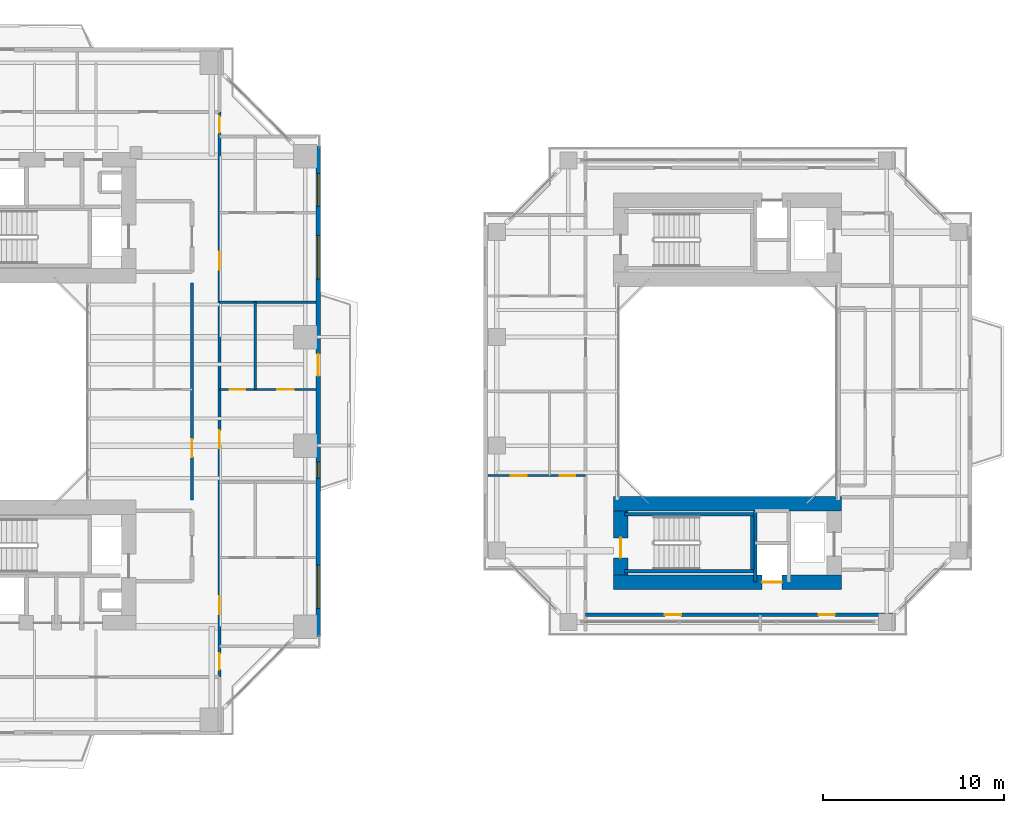
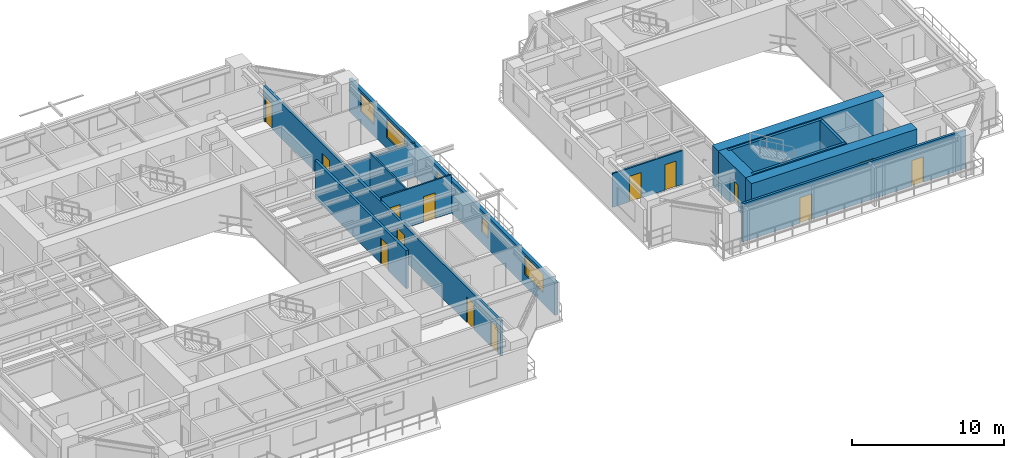
# One storey, part 15 of 24: 15 doors, 15 walls, 4 windows, 19 openings.
"""IFC4 building model written with IfcOpenShell, lengths in metres."""

from ifc_helpers import new_model, si_unit, direction, frame, frame_2d, origin, place, context, subcontext, project, spatial, rectangle, extrude, source, transform, mapped, material, layer, layer_set, type_object, element, fill, save


model = new_model("IFC4")

# Units and contexts
model_context = context("Model", 3, precision=1e-05, world=origin(), true_north=direction((0.0, 1.0)))
body_context = subcontext(model_context, "Body", "Model", "MODEL_VIEW")
ifc_project = project(units=[si_unit("LENGTHUNIT", "METRE"), si_unit("AREAUNIT", "SQUARE_METRE"), si_unit("VOLUMEUNIT", "CUBIC_METRE"), si_unit("PLANEANGLEUNIT", "RADIAN"), si_unit("MASSUNIT", "GRAM", prefix="KILO"), si_unit("THERMODYNAMICTEMPERATUREUNIT", "KELVIN"), si_unit("POWERUNIT", "WATT")], contexts=[model_context])

# Site, building, storey
site_placement = place(None, origin())
site = spatial("IfcSite", under=ifc_project, at=site_placement, CompositionType="ELEMENT")
building_placement = place(site_placement, origin())
building = spatial("IfcBuilding", under=site, at=building_placement, Name="Qiaomeng Ring Towers", CompositionType="ELEMENT")
storey_placement = place(building_placement, frame((0.0, 0.0, 36.0)))
storey = spatial("IfcBuildingStorey", under=building, at=storey_placement, Name="L09", CompositionType="ELEMENT", Elevation=36.0)

# Wall, openings, door, windows
ifc_material_1 = material(Name="Precast concrete C40", Category="concrete")
ifc_layer_1 = layer(ifc_material_1, 0.25, Name="Precast concrete C40")
ifc_layer_set_1 = layer_set([ifc_layer_1], Name="Precast concrete C40")
wall_type_1 = type_object("IfcWallType", Name="ARC-WL-EW1", PredefinedType="STANDARD", material=ifc_layer_set_1)
wall_1_placement = place(storey_placement, frame((37.875, 9.449951171875, 0.0), z_axis=(0.0, 0.0, 1.0), x_axis=(0.0, 1.0, 0.0)))
wall_1 = element("IfcWall", 1, at=wall_1_placement, inside=storey, type_object=wall_type_1, Name="L09 Tower 1 E Exterior Wall", PredefinedType="STANDARD", context=body_context, shape_type="SweptSolid", body=[
    extrude(rectangle(XDim=27.10009765625, YDim=0.25, at=frame_2d((13.550048828125, 0.0))), origin(), (0.0, 0.0, 1.0), 2.610107421875),
])
opening_1_placement = place(wall_1_placement, frame((14.39990234375, 0.0, 0.0)))
opening_1 = element("IfcOpeningElement", 2, at=opening_1_placement, cuts=wall_1, Name="Opening BD1", PredefinedType="OPENING", context=body_context, shape_type="SweptSolid", body=[
    extrude(rectangle(XDim=1.199951171875, YDim=2.10009765625, at=frame_2d((0.60009765625, 1.050048828125))), frame((0.0, 0.135009765625, 0.0), z_axis=(0.0, -1.0, 0.0), x_axis=(1.0, 0.0, 0.0)), (0.0, 0.0, 1.0), 0.27001953125),
])
opening_2_placement = place(wall_1_placement, frame((1.552490234375, 0.0, 0.89990234375)))
opening_2 = element("IfcOpeningElement", 3, at=opening_2_placement, cuts=wall_1, Name="Opening WN6", PredefinedType="OPENING", context=body_context, shape_type="SweptSolid", body=[
    extrude(rectangle(XDim=2.39990234375, YDim=1.5, at=frame_2d((1.199951171875, 0.75))), frame((0.0, 0.135009765625, 0.0), z_axis=(0.0, -1.0, 0.0), x_axis=(1.0, 0.0, 0.0)), (0.0, 0.0, 1.0), 0.27001953125),
])
opening_3_placement = place(wall_1_placement, frame((23.78759765625, 0.0, 0.89990234375)))
opening_3 = element("IfcOpeningElement", 4, at=opening_3_placement, cuts=wall_1, Name="Opening WN1", PredefinedType="OPENING", context=body_context, shape_type="SweptSolid", body=[
    extrude(rectangle(XDim=1.800048828125, YDim=1.5, at=frame_2d((0.89990234375, 0.75))), frame((0.0, 0.135009765625, 0.0), z_axis=(0.0, -1.0, 0.0), x_axis=(1.0, 0.0, 0.0)), (0.0, 0.0, 1.0), 0.27001953125),
])
opening_4_placement = place(wall_1_placement, frame((19.757568359375, 0.0, 0.89990234375)))
opening_4 = element("IfcOpeningElement", 5, at=opening_4_placement, cuts=wall_1, Name="Opening WN6", PredefinedType="OPENING", context=body_context, shape_type="SweptSolid", body=[
    extrude(rectangle(XDim=2.39990234375, YDim=1.5, at=frame_2d((1.199951171875, 0.75))), frame((0.0, 0.135009765625, 0.0), z_axis=(0.0, -1.0, 0.0), x_axis=(1.0, 0.0, 0.0)), (0.0, 0.0, 1.0), 0.27001953125),
])
opening_5_placement = place(wall_1_placement, frame((8.7548828125, 0.0, 0.89990234375)))
opening_5 = element("IfcOpeningElement", 6, at=opening_5_placement, cuts=wall_1, Name="Opening WN5", PredefinedType="OPENING", context=body_context, shape_type="SweptSolid", body=[
    extrude(rectangle(XDim=0.89990234375, YDim=1.199951171875, at=frame_2d((0.449951171875, 0.60009765625))), frame((0.0, 0.135009765625, 0.0), z_axis=(0.0, -1.0, 0.0), x_axis=(1.0, 0.0, 0.0)), (0.0, 0.0, 1.0), 0.27001953125),
])
ifc_material_2 = material(Name="Low-E dark-grey laminated double glazing", Category="glass")
door_type_1 = type_object("IfcDoorType", Name="ARC-DR-BD1", OperationType="NOTDEFINED", PredefinedType="DOOR", material=ifc_material_2)
shared_shape_1 = source(origin(), body_context, "Body", "SweptSolid", [
    extrude(rectangle(XDim=1.199951171875, YDim=2.10009765625, at=frame_2d((0.60009765625, 1.050048828125))), frame((0.0, 0.02490234375, 0.0), z_axis=(0.0, -1.0, 0.0), x_axis=(1.0, 0.0, 0.0)), (0.0, 0.0, 1.0), 0.050048828125),
])
door_1_placement = place(opening_1_placement, origin())
door_1 = element("IfcDoor", 7, at=door_1_placement, inside=storey, type_object=door_type_1, Name="L09 E Balcony Glazed Door", OperationType="SINGLE_SWING_LEFT", OverallHeight=2.10009765625, OverallWidth=1.199951171875, PredefinedType="DOOR", context=body_context, shape_type="MappedRepresentation", body=[
    mapped(shared_shape_1, transform((0.0, 0.0, 0.0), x_axis=(1.0, 0.0, 0.0), y_axis=(0.0, 1.0, 0.0), z_axis=(0.0, 0.0, 1.0), scale=1.0)),
])
fill(opening_1, door_1)
window_type_1 = type_object("IfcWindowType", Name="ARC-WN-6", PartitioningType="TRIPLE_PANEL_VERTICAL", PredefinedType="WINDOW", material=ifc_material_2)
shared_shape_2 = source(origin(), body_context, "Body", "SweptSolid", [
    extrude(rectangle(XDim=2.39990234375, YDim=1.5, at=frame_2d((1.199951171875, 0.75))), frame((0.0, 0.030029296875, 0.0), z_axis=(0.0, -1.0, 0.0), x_axis=(1.0, 0.0, 0.0)), (0.0, 0.0, 1.0), 0.06005859375),
])
window_1_placement = place(opening_2_placement, origin())
window_1 = element("IfcWindow", 8, at=window_1_placement, inside=storey, type_object=window_type_1, Name="L09 Exterior Window WN6", OverallHeight=1.5, OverallWidth=2.39990234375, PartitioningType="TRIPLE_PANEL_VERTICAL", PredefinedType="WINDOW", context=body_context, shape_type="MappedRepresentation", body=[
    mapped(shared_shape_2, transform((0.0, 0.0, 0.0), x_axis=(1.0, 0.0, 0.0), y_axis=(0.0, 1.0, 0.0), z_axis=(0.0, 0.0, 1.0), scale=1.0)),
])
fill(opening_2, window_1)
window_2_placement = place(opening_4_placement, origin())
window_2 = element("IfcWindow", 9, at=window_2_placement, inside=storey, type_object=window_type_1, Name="L09 Exterior Window WN6", OverallHeight=1.5, OverallWidth=2.39990234375, PartitioningType="TRIPLE_PANEL_VERTICAL", PredefinedType="WINDOW", context=body_context, shape_type="MappedRepresentation", body=[
    mapped(shared_shape_2, transform((0.0, 0.0, 0.0), x_axis=(1.0, 0.0, 0.0), y_axis=(0.0, 1.0, 0.0), z_axis=(0.0, 0.0, 1.0), scale=1.0)),
])
fill(opening_4, window_2)
window_type_2 = type_object("IfcWindowType", Name="ARC-WN-1", PartitioningType="DOUBLE_PANEL_VERTICAL", PredefinedType="WINDOW", material=ifc_material_2)
shared_shape_3 = source(origin(), body_context, "Body", "SweptSolid", [
    extrude(rectangle(XDim=1.800048828125, YDim=1.5, at=frame_2d((0.89990234375, 0.75))), frame((0.0, 0.030029296875, 0.0), z_axis=(0.0, -1.0, 0.0), x_axis=(1.0, 0.0, 0.0)), (0.0, 0.0, 1.0), 0.06005859375),
])
window_3_placement = place(opening_3_placement, origin())
window_3 = element("IfcWindow", 10, at=window_3_placement, inside=storey, type_object=window_type_2, Name="L09 Exterior Window WN4", OverallHeight=1.5, OverallWidth=1.800048828125, PartitioningType="TRIPLE_PANEL_VERTICAL", PredefinedType="WINDOW", context=body_context, shape_type="MappedRepresentation", body=[
    mapped(shared_shape_3, transform((0.0, 0.0, 0.0), x_axis=(1.0, 0.0, 0.0), y_axis=(0.0, 1.0, 0.0), z_axis=(0.0, 0.0, 1.0), scale=1.0)),
])
fill(opening_3, window_3)
window_type_3 = type_object("IfcWindowType", Name="ARC-WN-5", PartitioningType="SINGLE_PANEL", PredefinedType="WINDOW", material=ifc_material_2)
shared_shape_4 = source(origin(), body_context, "Body", "SweptSolid", [
    extrude(rectangle(XDim=0.89990234375, YDim=1.199951171875, at=frame_2d((0.449951171875, 0.60009765625))), frame((0.0, 0.030029296875, 0.0), z_axis=(0.0, -1.0, 0.0), x_axis=(1.0, 0.0, 0.0)), (0.0, 0.0, 1.0), 0.06005859375),
])
window_4_placement = place(opening_5_placement, origin())
window_4 = element("IfcWindow", 11, at=window_4_placement, inside=storey, type_object=window_type_3, Name="L09 Exterior Window WN5", OverallHeight=1.199951171875, OverallWidth=0.89990234375, PartitioningType="SINGLE_PANEL", PredefinedType="WINDOW", context=body_context, shape_type="MappedRepresentation", body=[
    mapped(shared_shape_4, transform((0.0, 0.0, 0.0), x_axis=(1.0, 0.0, 0.0), y_axis=(0.0, 1.0, 0.0), z_axis=(0.0, 0.0, 1.0), scale=1.0)),
])
fill(opening_5, window_4)

# Wall, openings, doors
ifc_material_3 = material(Name="Autoclaved aerated concrete block", Category="concrete")
ifc_layer_2 = layer(ifc_material_3, 0.179931640625, Name="Autoclaved aerated concrete block")
ifc_layer_set_2 = layer_set([ifc_layer_2], Name="Autoclaved aerated concrete block")
wall_type_2 = type_object("IfcWallType", Name="ARC-WL-PW2", PredefinedType="PARTITIONING", material=ifc_layer_set_2)
wall_2_placement = place(storey_placement, frame((32.419921875, 7.2099609375, 0.0), z_axis=(0.0, 0.0, 1.0), x_axis=(0.0, 1.0, 0.0)))
wall_2 = element("IfcWall", 12, at=wall_2_placement, inside=storey, type_object=wall_type_2, Name="L09 Interior Wall PW2", PredefinedType="PARTITIONING", context=body_context, shape_type="SweptSolid", body=[
    extrude(rectangle(XDim=31.22998046875, YDim=0.179931640625, at=frame_2d((15.614990234375, 0.0))), origin(), (0.0, 0.0, 1.0), 2.81494140625),
])
opening_6_placement = place(wall_2_placement, frame((30.090087890625, 0.0, 0.0)))
opening_6 = element("IfcOpeningElement", 13, at=opening_6_placement, cuts=wall_2, Name="Opening ID1", PredefinedType="OPENING", context=body_context, shape_type="SweptSolid", body=[
    extrude(rectangle(XDim=0.89990234375, YDim=2.050048828125, at=frame_2d((0.449951171875, 1.02490234375))), frame((0.0, 0.099853515625, 0.0), z_axis=(0.0, -1.0, 0.0), x_axis=(1.0, 0.0, 0.0)), (0.0, 0.0, 1.0), 0.199951171875),
])
opening_7_placement = place(wall_2_placement, frame((0.4150390625, 0.0, 0.0)))
opening_7 = element("IfcOpeningElement", 14, at=opening_7_placement, cuts=wall_2, Name="Opening ID1", PredefinedType="OPENING", context=body_context, shape_type="SweptSolid", body=[
    extrude(rectangle(XDim=0.89990234375, YDim=2.050048828125, at=frame_2d((0.449951171875, 1.02490234375))), frame((0.0, 0.099853515625, 0.0), z_axis=(0.0, -1.0, 0.0), x_axis=(1.0, 0.0, 0.0)), (0.0, 0.0, 1.0), 0.199951171875),
])
opening_8_placement = place(wall_2_placement, frame((3.465087890625, 0.0, 0.0)))
opening_8 = element("IfcOpeningElement", 15, at=opening_8_placement, cuts=wall_2, Name="Opening FD4", PredefinedType="OPENING", context=body_context, shape_type="SweptSolid", body=[
    extrude(rectangle(XDim=1.0, YDim=2.050048828125, at=frame_2d((0.5, 1.02490234375))), frame((0.0, 0.099853515625, 0.0), z_axis=(0.0, -1.0, 0.0), x_axis=(1.0, 0.0, 0.0)), (0.0, 0.0, 1.0), 0.199951171875),
])
opening_9_placement = place(wall_2_placement, frame((12.635009765625, 0.0, 0.0)))
opening_9 = element("IfcOpeningElement", 16, at=opening_9_placement, cuts=wall_2, Name="Opening FD4", PredefinedType="OPENING", context=body_context, shape_type="SweptSolid", body=[
    extrude(rectangle(XDim=1.0, YDim=2.050048828125, at=frame_2d((0.5, 1.02490234375))), frame((0.0, 0.099853515625, 0.0), z_axis=(0.0, -1.0, 0.0), x_axis=(1.0, 0.0, 0.0)), (0.0, 0.0, 1.0), 0.199951171875),
])
opening_10_placement = place(wall_2_placement, frame((22.5, 0.0, 0.0)))
opening_10 = element("IfcOpeningElement", 17, at=opening_10_placement, cuts=wall_2, Name="Opening FD4", PredefinedType="OPENING", context=body_context, shape_type="SweptSolid", body=[
    extrude(rectangle(XDim=1.0, YDim=2.050048828125, at=frame_2d((0.5, 1.02490234375))), frame((0.0, 0.099853515625, 0.0), z_axis=(0.0, -1.0, 0.0), x_axis=(1.0, 0.0, 0.0)), (0.0, 0.0, 1.0), 0.199951171875),
])
ifc_material_4 = material(Name="Engineered fire-rated oak timber", Category="wood")
door_type_2 = type_object("IfcDoorType", Name="ARC-DR-FD4", OperationType="NOTDEFINED", PredefinedType="DOOR", material=ifc_material_4)
shared_shape_5 = source(origin(), body_context, "Body", "SweptSolid", [
    extrude(rectangle(XDim=1.0, YDim=2.050048828125, at=frame_2d((0.5, 1.02490234375))), frame((0.0, 0.02490234375, 0.0), z_axis=(0.0, -1.0, 0.0), x_axis=(1.0, 0.0, 0.0)), (0.0, 0.0, 1.0), 0.050048828125),
])
door_2_placement = place(opening_8_placement, origin())
door_2 = element("IfcDoor", 18, at=door_2_placement, inside=storey, type_object=door_type_2, Name="L09 Door FD4", OperationType="SINGLE_SWING_LEFT", OverallHeight=2.050048828125, OverallWidth=1.0, PredefinedType="DOOR", context=body_context, shape_type="MappedRepresentation", body=[
    mapped(shared_shape_5, transform((0.0, 0.0, 0.0), x_axis=(1.0, 0.0, 0.0), y_axis=(0.0, 1.0, 0.0), z_axis=(0.0, 0.0, 1.0), scale=1.0)),
])
fill(opening_8, door_2)
door_3_placement = place(opening_9_placement, origin())
door_3 = element("IfcDoor", 19, at=door_3_placement, inside=storey, type_object=door_type_2, Name="L09 Door FD4", OperationType="SINGLE_SWING_RIGHT", OverallHeight=2.050048828125, OverallWidth=1.0, PredefinedType="DOOR", context=body_context, shape_type="MappedRepresentation", body=[
    mapped(shared_shape_5, transform((0.0, 0.0, 0.0), x_axis=(1.0, 0.0, 0.0), y_axis=(0.0, 1.0, 0.0), z_axis=(0.0, 0.0, 1.0), scale=1.0)),
])
fill(opening_9, door_3)
door_4_placement = place(opening_10_placement, origin())
door_4 = element("IfcDoor", 20, at=door_4_placement, inside=storey, type_object=door_type_2, Name="L09 Door FD4", OperationType="SINGLE_SWING_LEFT", OverallHeight=2.050048828125, OverallWidth=1.0, PredefinedType="DOOR", context=body_context, shape_type="MappedRepresentation", body=[
    mapped(shared_shape_5, transform((0.0, 0.0, 0.0), x_axis=(1.0, 0.0, 0.0), y_axis=(0.0, 1.0, 0.0), z_axis=(0.0, 0.0, 1.0), scale=1.0)),
])
fill(opening_10, door_4)
ifc_material_5 = material(Name="Engineered oak timber", Category="wood")
door_type_3 = type_object("IfcDoorType", Name="ARC-DR-ID1", OperationType="NOTDEFINED", PredefinedType="DOOR", material=ifc_material_5)
shared_shape_6 = source(origin(), body_context, "Body", "SweptSolid", [
    extrude(rectangle(XDim=0.89990234375, YDim=2.050048828125, at=frame_2d((0.449951171875, 1.02490234375))), frame((0.0, 0.02490234375, 0.0), z_axis=(0.0, -1.0, 0.0), x_axis=(1.0, 0.0, 0.0)), (0.0, 0.0, 1.0), 0.050048828125),
])
door_5_placement = place(opening_6_placement, origin())
door_5 = element("IfcDoor", 21, at=door_5_placement, inside=storey, type_object=door_type_3, Name="L09 Door ID1", OperationType="SINGLE_SWING_LEFT", OverallHeight=2.050048828125, OverallWidth=0.89990234375, PredefinedType="DOOR", context=body_context, shape_type="MappedRepresentation", body=[
    mapped(shared_shape_6, transform((0.0, 0.0, 0.0), x_axis=(1.0, 0.0, 0.0), y_axis=(0.0, 1.0, 0.0), z_axis=(0.0, 0.0, 1.0), scale=1.0)),
])
fill(opening_6, door_5)
door_6_placement = place(opening_7_placement, origin())
door_6 = element("IfcDoor", 22, at=door_6_placement, inside=storey, type_object=door_type_3, Name="L09 Door ID1", OperationType="SINGLE_SWING_RIGHT", OverallHeight=2.050048828125, OverallWidth=0.89990234375, PredefinedType="DOOR", context=body_context, shape_type="MappedRepresentation", body=[
    mapped(shared_shape_6, transform((0.0, 0.0, 0.0), x_axis=(1.0, 0.0, 0.0), y_axis=(0.0, 1.0, 0.0), z_axis=(0.0, 0.0, 1.0), scale=1.0)),
])
fill(opening_7, door_6)

# Wall, opening, door
wall_3_placement = place(storey_placement, frame((30.89990234375, 17.0, 0.0), z_axis=(0.0, 0.0, 1.0), x_axis=(0.0, 1.0, 0.0)))
wall_3 = element("IfcWall", 23, at=wall_3_placement, inside=storey, type_object=wall_type_2, Name="L09 Interior Wall PW2", PredefinedType="PARTITIONING", context=body_context, shape_type="SweptSolid", body=[
    extrude(rectangle(XDim=12.0, YDim=0.179931640625, at=frame_2d((6.0, 0.0))), origin(), (0.0, 0.0, 1.0), 3.070068359375),
])
opening_11_placement = place(wall_3_placement, frame((2.360107421875, 0.0, 0.0)))
opening_11 = element("IfcOpeningElement", 24, at=opening_11_placement, cuts=wall_3, Name="Opening FD4", PredefinedType="OPENING", context=body_context, shape_type="SweptSolid", body=[
    extrude(rectangle(XDim=1.0, YDim=2.050048828125, at=frame_2d((0.5, 1.02490234375))), frame((0.0, 0.099853515625, 0.0), z_axis=(0.0, -1.0, 0.0), x_axis=(1.0, 0.0, 0.0)), (0.0, 0.0, 1.0), 0.199951171875),
])
door_7_placement = place(opening_11_placement, origin())
door_7 = element("IfcDoor", 25, at=door_7_placement, inside=storey, type_object=door_type_2, Name="L09 Door FD4", OperationType="SINGLE_SWING_RIGHT", OverallHeight=2.050048828125, OverallWidth=1.0, PredefinedType="DOOR", context=body_context, shape_type="MappedRepresentation", body=[
    mapped(shared_shape_5, transform((0.0, 0.0, 0.0), x_axis=(1.0, 0.0, 0.0), y_axis=(0.0, 1.0, 0.0), z_axis=(0.0, 0.0, 1.0), scale=1.0)),
])
fill(opening_11, door_7)

# Wall, openings, doors
wall_4_placement = place(storey_placement, frame((52.64990234375, 10.64990234375, 0.0), z_axis=(0.0, 0.0, 1.0), x_axis=(1.0, 0.0, 0.0)))
wall_4 = element("IfcWall", 26, at=wall_4_placement, inside=storey, type_object=wall_type_2, Name="L09 Interior Wall PW2", PredefinedType="PARTITIONING", context=body_context, shape_type="SweptSolid", body=[
    extrude(rectangle(XDim=17.0, YDim=0.179931640625, at=frame_2d((8.5, 0.0))), origin(), (0.0, 0.0, 1.0), 3.070068359375),
])
opening_12_placement = place(wall_4_placement, frame((4.375, 0.0, 0.0)))
opening_12 = element("IfcOpeningElement", 27, at=opening_12_placement, cuts=wall_4, Name="Opening ID1", PredefinedType="OPENING", context=body_context, shape_type="SweptSolid", body=[
    extrude(rectangle(XDim=0.89990234375, YDim=2.050048828125, at=frame_2d((0.449951171875, 1.02490234375))), frame((0.0, 0.099853515625, 0.0), z_axis=(0.0, -1.0, 0.0), x_axis=(1.0, 0.0, 0.0)), (0.0, 0.0, 1.0), 0.199951171875),
])
opening_13_placement = place(wall_4_placement, frame((12.875, 0.0, 0.0)))
opening_13 = element("IfcOpeningElement", 28, at=opening_13_placement, cuts=wall_4, Name="Opening ID1", PredefinedType="OPENING", context=body_context, shape_type="SweptSolid", body=[
    extrude(rectangle(XDim=0.89990234375, YDim=2.050048828125, at=frame_2d((0.449951171875, 1.02490234375))), frame((0.0, 0.099853515625, 0.0), z_axis=(0.0, -1.0, 0.0), x_axis=(1.0, 0.0, 0.0)), (0.0, 0.0, 1.0), 0.199951171875),
])
door_8_placement = place(opening_12_placement, origin())
door_8 = element("IfcDoor", 29, at=door_8_placement, inside=storey, type_object=door_type_3, Name="L09 Door ID1", OperationType="SINGLE_SWING_LEFT", OverallHeight=2.050048828125, OverallWidth=0.89990234375, PredefinedType="DOOR", context=body_context, shape_type="MappedRepresentation", body=[
    mapped(shared_shape_6, transform((0.0, 0.0, 0.0), x_axis=(1.0, 0.0, 0.0), y_axis=(0.0, 1.0, 0.0), z_axis=(0.0, 0.0, 1.0), scale=1.0)),
])
fill(opening_12, door_8)
door_9_placement = place(opening_13_placement, origin())
door_9 = element("IfcDoor", 30, at=door_9_placement, inside=storey, type_object=door_type_3, Name="L09 Door ID1", OperationType="SINGLE_SWING_RIGHT", OverallHeight=2.050048828125, OverallWidth=0.89990234375, PredefinedType="DOOR", context=body_context, shape_type="MappedRepresentation", body=[
    mapped(shared_shape_6, transform((0.0, 0.0, 0.0), x_axis=(1.0, 0.0, 0.0), y_axis=(0.0, 1.0, 0.0), z_axis=(0.0, 0.0, 1.0), scale=1.0)),
])
fill(opening_13, door_9)

# Wall
ifc_material_6 = material(Name="Gypsum fireboard steel-stud partition", Category="steel")
ifc_layer_3 = layer(ifc_material_6, 0.14990234375, Name="Gypsum fireboard steel-stud partition")
ifc_layer_set_3 = layer_set([ifc_layer_3], Name="Gypsum fireboard steel-stud partition")
wall_type_3 = type_object("IfcWallType", Name="ARC-WL-PW3", PredefinedType="PARTITIONING", material=ifc_layer_set_3)
wall_5_placement = place(storey_placement, frame((32.419921875, 27.929931640625, 0.0), z_axis=(0.0, 0.0, 1.0), x_axis=(1.0, 0.0, 0.0)))
element("IfcWall", 31, at=wall_5_placement, inside=storey, type_object=wall_type_3, Name="L09 Interior Wall PW3", PredefinedType="PARTITIONING", context=body_context, shape_type="SweptSolid", body=[
    extrude(rectangle(XDim=5.330078125, YDim=0.14990234375, at=frame_2d((2.6650390625, 0.0))), origin(), (0.0, 0.0, 1.0), 2.715087890625),
])

# Wall, openings, doors
ifc_material_7 = material(Name="Moisture-resistant gypsum steel-stud partition", Category="steel")
ifc_layer_4 = layer(ifc_material_7, 0.1201171875, Name="Moisture-resistant gypsum steel-stud partition")
ifc_layer_set_4 = layer_set([ifc_layer_4], Name="Moisture-resistant gypsum steel-stud partition")
wall_type_4 = type_object("IfcWallType", Name="ARC-WL-PW4", PredefinedType="PLUMBINGWALL", material=ifc_layer_set_4)
wall_6_placement = place(storey_placement, frame((32.419921875, 23.10009765625, 0.0), z_axis=(0.0, 0.0, 1.0), x_axis=(1.0, 0.0, 0.0)))
wall_6 = element("IfcWall", 32, at=wall_6_placement, inside=storey, type_object=wall_type_4, Name="L09 Interior Wall PW4", PredefinedType="PLUMBINGWALL", context=body_context, shape_type="SweptSolid", body=[
    extrude(rectangle(XDim=5.330078125, YDim=0.1201171875, at=frame_2d((2.6650390625, 0.0))), origin(), (0.0, 0.0, 1.0), 3.070068359375),
])
opening_14_placement = place(wall_6_placement, frame((0.570068359375, 0.0, 0.0)))
opening_14 = element("IfcOpeningElement", 33, at=opening_14_placement, cuts=wall_6, Name="Opening ID2", PredefinedType="OPENING", context=body_context, shape_type="SweptSolid", body=[
    extrude(rectangle(XDim=0.85009765625, YDim=2.050048828125, at=frame_2d((0.425048828125, 1.02490234375))), frame((0.0, 0.070068359375, 0.0), z_axis=(0.0, -1.0, 0.0), x_axis=(1.0, 0.0, 0.0)), (0.0, 0.0, 1.0), 0.14013671875),
])
opening_15_placement = place(wall_6_placement, frame((3.18994140625, 0.0, 0.0)))
opening_15 = element("IfcOpeningElement", 34, at=opening_15_placement, cuts=wall_6, Name="Opening ID1", PredefinedType="OPENING", context=body_context, shape_type="SweptSolid", body=[
    extrude(rectangle(XDim=0.89990234375, YDim=2.050048828125, at=frame_2d((0.449951171875, 1.02490234375))), frame((0.0, 0.070068359375, 0.0), z_axis=(0.0, -1.0, 0.0), x_axis=(1.0, 0.0, 0.0)), (0.0, 0.0, 1.0), 0.14013671875),
])
ifc_material_8 = material(Name="Moisture-resistant engineered timber", Category="wood")
door_type_4 = type_object("IfcDoorType", Name="ARC-DR-ID2", OperationType="NOTDEFINED", PredefinedType="DOOR", material=ifc_material_8)
shared_shape_7 = source(origin(), body_context, "Body", "SweptSolid", [
    extrude(rectangle(XDim=0.85009765625, YDim=2.050048828125, at=frame_2d((0.425048828125, 1.02490234375))), frame((0.0, 0.02490234375, 0.0), z_axis=(0.0, -1.0, 0.0), x_axis=(1.0, 0.0, 0.0)), (0.0, 0.0, 1.0), 0.050048828125),
])
door_10_placement = place(opening_14_placement, origin())
door_10 = element("IfcDoor", 35, at=door_10_placement, inside=storey, type_object=door_type_4, Name="L09 Door ID2", OperationType="SINGLE_SWING_RIGHT", OverallHeight=2.050048828125, OverallWidth=0.85009765625, PredefinedType="DOOR", context=body_context, shape_type="MappedRepresentation", body=[
    mapped(shared_shape_7, transform((0.0, 0.0, 0.0), x_axis=(1.0, 0.0, 0.0), y_axis=(0.0, 1.0, 0.0), z_axis=(0.0, 0.0, 1.0), scale=1.0)),
])
fill(opening_14, door_10)
door_11_placement = place(opening_15_placement, origin())
door_11 = element("IfcDoor", 36, at=door_11_placement, inside=storey, type_object=door_type_3, Name="L09 Door ID1", OperationType="SINGLE_SWING_LEFT", OverallHeight=2.050048828125, OverallWidth=0.89990234375, PredefinedType="DOOR", context=body_context, shape_type="MappedRepresentation", body=[
    mapped(shared_shape_6, transform((0.0, 0.0, 0.0), x_axis=(1.0, 0.0, 0.0), y_axis=(0.0, 1.0, 0.0), z_axis=(0.0, 0.0, 1.0), scale=1.0)),
])
fill(opening_15, door_11)

# Wall
wall_7_placement = place(storey_placement, frame((34.389892578125, 23.10009765625, 0.0), z_axis=(0.0, 0.0, 1.0), x_axis=(0.0, 1.0, 0.0)))
element("IfcWall", 37, at=wall_7_placement, inside=storey, type_object=wall_type_4, Name="L09 Interior Wall PW4", PredefinedType="PLUMBINGWALL", context=body_context, shape_type="SweptSolid", body=[
    extrude(rectangle(XDim=4.829833984375, YDim=0.1201171875, at=frame_2d((2.4150390625, 0.0))), origin(), (0.0, 0.0, 1.0), 3.070068359375),
])

# Wall, openings, doors
wall_8_placement = place(storey_placement, frame((47.25, 18.340087890625, 0.0), z_axis=(0.0, 0.0, 1.0), x_axis=(1.0, 0.0, 0.0)))
wall_8 = element("IfcWall", 38, at=wall_8_placement, inside=storey, type_object=wall_type_4, Name="L09 Interior Wall PW4", PredefinedType="PLUMBINGWALL", context=body_context, shape_type="SweptSolid", body=[
    extrude(rectangle(XDim=5.39990234375, YDim=0.1201171875, at=frame_2d((2.699951171875, 0.0))), origin(), (0.0, 0.0, 1.0), 2.715087890625),
])
opening_16_placement = place(wall_8_placement, frame((1.260009765625, 0.0, 0.0)))
opening_16 = element("IfcOpeningElement", 39, at=opening_16_placement, cuts=wall_8, Name="Opening ID1", PredefinedType="OPENING", context=body_context, shape_type="SweptSolid", body=[
    extrude(rectangle(XDim=0.89990234375, YDim=2.050048828125, at=frame_2d((0.449951171875, 1.02490234375))), frame((0.0, 0.070068359375, 0.0), z_axis=(0.0, -1.0, 0.0), x_axis=(1.0, 0.0, 0.0)), (0.0, 0.0, 1.0), 0.14013671875),
])
opening_17_placement = place(wall_8_placement, frame((3.965087890625, 0.0, 0.0)))
opening_17 = element("IfcOpeningElement", 40, at=opening_17_placement, cuts=wall_8, Name="Opening ID2", PredefinedType="OPENING", context=body_context, shape_type="SweptSolid", body=[
    extrude(rectangle(XDim=0.85009765625, YDim=2.050048828125, at=frame_2d((0.425048828125, 1.02490234375))), frame((0.0, 0.070068359375, 0.0), z_axis=(0.0, -1.0, 0.0), x_axis=(1.0, 0.0, 0.0)), (0.0, 0.0, 1.0), 0.14013671875),
])
door_12_placement = place(opening_17_placement, origin())
door_12 = element("IfcDoor", 41, at=door_12_placement, inside=storey, type_object=door_type_4, Name="L09 Door ID2", OperationType="SINGLE_SWING_RIGHT", OverallHeight=2.050048828125, OverallWidth=0.85009765625, PredefinedType="DOOR", context=body_context, shape_type="MappedRepresentation", body=[
    mapped(shared_shape_7, transform((0.0, 0.0, 0.0), x_axis=(1.0, 0.0, 0.0), y_axis=(0.0, 1.0, 0.0), z_axis=(0.0, 0.0, 1.0), scale=1.0)),
])
fill(opening_17, door_12)
door_13_placement = place(opening_16_placement, origin())
door_13 = element("IfcDoor", 42, at=door_13_placement, inside=storey, type_object=door_type_3, Name="L09 Door ID1", OperationType="SINGLE_SWING_LEFT", OverallHeight=2.050048828125, OverallWidth=0.89990234375, PredefinedType="DOOR", context=body_context, shape_type="MappedRepresentation", body=[
    mapped(shared_shape_6, transform((0.0, 0.0, 0.0), x_axis=(1.0, 0.0, 0.0), y_axis=(0.0, 1.0, 0.0), z_axis=(0.0, 0.0, 1.0), scale=1.0)),
])
fill(opening_16, door_13)

# Walls
ifc_material_9 = material(Name="Concrete C40", Category="concrete")
ifc_layer_5 = layer(ifc_material_9, 0.199951171875, Name="Concrete C40")
ifc_layer_set_5 = layer_set([ifc_layer_5], Name="Concrete C40")
wall_type_5 = type_object("IfcWallType", Name="STR-WL-STSHAFT", PredefinedType="SHEAR", material=ifc_layer_set_5)
wall_9_placement = place(storey_placement, frame((62.02001953125, 12.449951171875, 0.0), z_axis=(0.0, 0.0, 1.0), x_axis=(0.0, 1.0, 0.0)))
element("IfcWall", 43, at=wall_9_placement, inside=storey, type_object=wall_type_5, Name="L09 Companion Lift Shaft West Wall S", PredefinedType="SHEAR", context=body_context, shape_type="SweptSolid", body=[
    extrude(rectangle(XDim=3.949951171875, YDim=0.179931640625, at=frame_2d((1.97509765625, 0.0))), origin(), (0.0, 0.0, 1.0), 3.070068359375),
])
for number, where, z_axis, x_axis, name in (
    (44, (54.800048828125, 13.06005859375, 0.0), (0.0, 0.0, 1.0), (1.0, 0.0, 0.0), "L09 Stair ST6 South Shaft Shear Wall"),
    (45, (54.800048828125, 16.199951171875, 0.0), (0.0, 0.0, 1.0), (1.0, 0.0, 0.0), "L09 Stair ST6 North Shaft Shear Wall"),
):
    element("IfcWall", number, at=place(storey_placement, frame(where, z_axis=z_axis, x_axis=x_axis)), inside=storey, type_object=wall_type_5, Name=name, PredefinedType="SHEAR", context=body_context, shape_type="SweptSolid", body=[
        extrude(rectangle(XDim=7.14990234375, YDim=0.199951171875, at=frame_2d((3.574951171875, 0.0))), origin(), (0.0, 0.0, 1.0), 3.25),
    ])
wall_10_placement = place(storey_placement, frame((61.85009765625, 13.159912109375, 0.0), z_axis=(0.0, 0.0, 1.0), x_axis=(0.0, 1.0, 0.0)))
element("IfcWall", 46, at=wall_10_placement, inside=storey, type_object=wall_type_5, Name="L09 Stair ST6 East Shaft Shear Wall", PredefinedType="SHEAR", context=body_context, shape_type="SweptSolid", body=[
    extrude(rectangle(XDim=2.940185546875, YDim=0.199951171875, at=frame_2d((1.47021484375, 0.0))), origin(), (0.0, 0.0, 1.0), 3.25),
])

# Wall, opening, door
ifc_material_10 = material(Name="Concrete C60", Category="concrete")
ifc_layer_6 = layer(ifc_material_10, 0.800048828125, Name="Concrete C60")
ifc_layer_set_6 = layer_set([ifc_layer_6], Name="Concrete C60")
wall_type_6 = type_object("IfcWallType", Name="STR-WL-SW1", PredefinedType="SHEAR", material=ifc_layer_set_6)
wall_11_placement = place(storey_placement, frame((54.199951171875, 12.449951171875, 0.0), z_axis=(0.0, 0.0, 1.0), x_axis=(1.0, 0.0, 0.0)))
wall_11 = element("IfcWall", 47, at=wall_11_placement, inside=storey, type_object=wall_type_6, Name="L09 T2SC south core shear wall", PredefinedType="SHEAR", context=body_context, shape_type="SweptSolid", body=[
    extrude(rectangle(XDim=12.60009765625, YDim=0.800048828125, at=frame_2d((6.300048828125, 0.0))), origin(), (0.0, 0.0, 1.0), 3.25),
])
opening_18_placement = place(wall_11_placement, frame((8.199951171875, 0.0, 0.0)))
opening_18 = element("IfcOpeningElement", 48, at=opening_18_placement, cuts=wall_11, Name="Opening LD1", PredefinedType="OPENING", context=body_context, shape_type="SweptSolid", body=[
    extrude(rectangle(XDim=1.10009765625, YDim=2.050048828125, at=frame_2d((0.550048828125, 1.02490234375))), frame((0.0, 0.409912109375, 0.0), z_axis=(0.0, -1.0, 0.0), x_axis=(1.0, 0.0, 0.0)), (0.0, 0.0, 1.0), 0.820068359375),
])
ifc_material_11 = material(Name="Stainless steel 316", Category="steel")
door_type_5 = type_object("IfcDoorType", Name="ARC-DR-LD1", OperationType="NOTDEFINED", PredefinedType="DOOR", material=ifc_material_11)
shared_shape_8 = source(origin(), body_context, "Body", "SweptSolid", [
    extrude(rectangle(XDim=1.10009765625, YDim=2.050048828125, at=frame_2d((0.550048828125, 1.02490234375))), frame((0.0, 0.02490234375, 0.0), z_axis=(0.0, -1.0, 0.0), x_axis=(1.0, 0.0, 0.0)), (0.0, 0.0, 1.0), 0.050048828125),
])
door_14_placement = place(opening_18_placement, origin())
door_14 = element("IfcDoor", 49, at=door_14_placement, inside=storey, type_object=door_type_5, Name="L09 Companion Lift LP8 Landing Door", OperationType="SLIDING_TO_RIGHT", OverallHeight=2.050048828125, OverallWidth=1.10009765625, PredefinedType="DOOR", context=body_context, shape_type="MappedRepresentation", body=[
    mapped(shared_shape_8, transform((0.0, 0.0, 0.0), x_axis=(1.0, 0.0, 0.0), y_axis=(0.0, 1.0, 0.0), z_axis=(0.0, 0.0, 1.0), scale=1.0)),
])
fill(opening_18, door_14)

# Wall
wall_12_placement = place(storey_placement, frame((54.199951171875, 16.800048828125, 0.0), z_axis=(0.0, 0.0, 1.0), x_axis=(1.0, 0.0, 0.0)))
element("IfcWall", 50, at=wall_12_placement, inside=storey, type_object=wall_type_6, Name="L09 T2SC north core shear wall", PredefinedType="SHEAR", context=body_context, shape_type="SweptSolid", body=[
    extrude(rectangle(XDim=12.60009765625, YDim=0.800048828125, at=frame_2d((6.300048828125, 0.0))), origin(), (0.0, 0.0, 1.0), 3.25),
])

# Wall, opening, door
wall_13_placement = place(storey_placement, frame((54.60009765625, 12.85009765625, 0.0), z_axis=(0.0, 0.0, 1.0), x_axis=(0.0, 1.0, 0.0)))
wall_13 = element("IfcWall", 51, at=wall_13_placement, inside=storey, type_object=wall_type_6, Name="L09 T2SC west core shear wall", PredefinedType="SHEAR", context=body_context, shape_type="SweptSolid", body=[
    extrude(rectangle(XDim=3.5498046875, YDim=0.800048828125, at=frame_2d((1.77490234375, 0.0))), origin(), (0.0, 0.0, 1.0), 3.25),
])
opening_19_placement = place(wall_13_placement, frame((0.949951171875, 0.0, 0.0)))
opening_19 = element("IfcOpeningElement", 52, at=opening_19_placement, cuts=wall_13, Name="Opening FD3", PredefinedType="OPENING", context=body_context, shape_type="SweptSolid", body=[
    extrude(rectangle(XDim=1.10009765625, YDim=2.050048828125, at=frame_2d((0.550048828125, 1.02490234375))), frame((0.0, 0.409912109375, 0.0), z_axis=(0.0, -1.0, 0.0), x_axis=(1.0, 0.0, 0.0)), (0.0, 0.0, 1.0), 0.820068359375),
])
ifc_material_12 = material(Name="Galvanised steel", Category="steel")
door_type_6 = type_object("IfcDoorType", Name="ARC-DR-FD3", OperationType="NOTDEFINED", PredefinedType="DOOR", material=ifc_material_12)
door_15_placement = place(opening_19_placement, origin())
door_15 = element("IfcDoor", 53, at=door_15_placement, inside=storey, type_object=door_type_6, Name="L09 Stair ST6 Exit Door", OperationType="SINGLE_SWING_RIGHT", OverallHeight=2.050048828125, OverallWidth=1.10009765625, PredefinedType="DOOR", context=body_context, shape_type="MappedRepresentation", body=[
    mapped(shared_shape_8, transform((0.0, 0.0, 0.0), x_axis=(1.0, 0.0, 0.0), y_axis=(0.0, 1.0, 0.0), z_axis=(0.0, 0.0, 1.0), scale=1.0)),
])
fill(opening_19, door_15)

save(model, "model.ifc")
